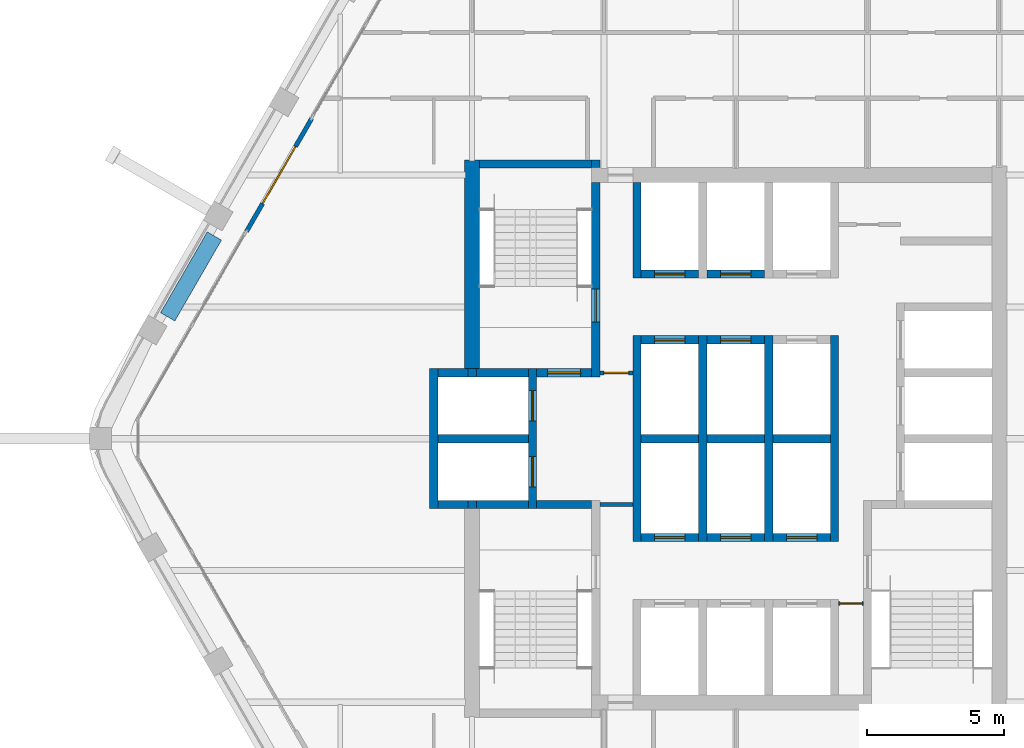
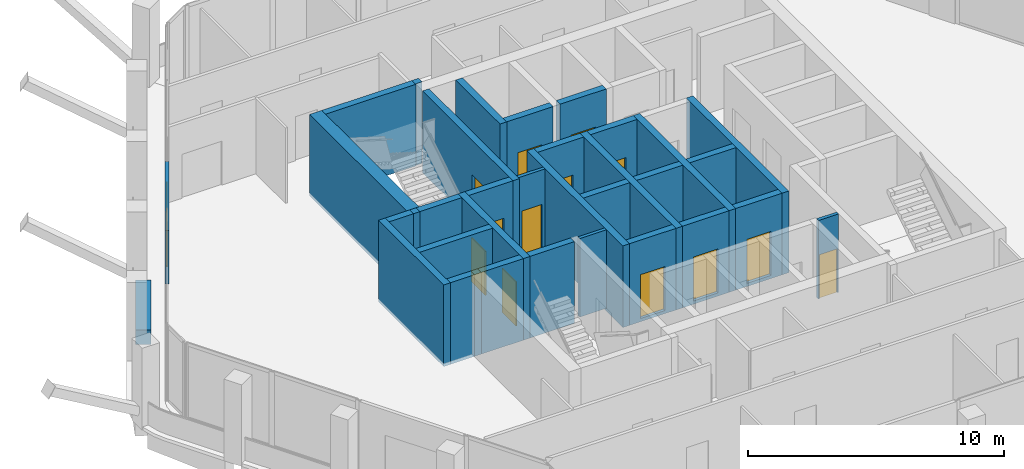
# One storey, part 8 of 14: 35 walls, 14 doors, 14 openings.
"""IFC4 building model written with IfcOpenShell, lengths in metres."""

from ifc_helpers import new_model, si_unit, direction, frame, frame_2d, origin, place, context, subcontext, project, spatial, rectangle, extrude, material, layer, layer_set, type_object, element, fill, save


model = new_model("IFC4")

# Units and contexts
model_context = context("Model", 3, precision=1e-05, world=origin(), true_north=direction((0.0, 1.0)))
body_context = subcontext(model_context, "Body", "Model", "MODEL_VIEW")
ifc_project = project(units=[si_unit("LENGTHUNIT", "METRE"), si_unit("AREAUNIT", "SQUARE_METRE"), si_unit("VOLUMEUNIT", "CUBIC_METRE"), si_unit("PLANEANGLEUNIT", "RADIAN"), si_unit("MASSUNIT", "GRAM", prefix="KILO")], contexts=[model_context])

# Site, building, storey
site_placement = place(None, origin())
site = spatial("IfcSite", under=ifc_project, at=site_placement, CompositionType="ELEMENT")
building_placement = place(site_placement, origin())
building = spatial("IfcBuilding", under=site, at=building_placement, Name="Kolab Exchange Tower", CompositionType="ELEMENT")
storey_placement = place(building_placement, frame((0.0, 0.0, 250.10009765625)))
storey = spatial("IfcBuildingStorey", under=building, at=storey_placement, Name="L55", CompositionType="ELEMENT", Elevation=250.10009765625)

# Wall
ifc_material_1 = material(Name="Concrete C50/60", Category="concrete")
ifc_layer_1 = layer(ifc_material_1, 0.550048828125)
ifc_layer_set_1 = layer_set([ifc_layer_1], Name="Concrete C50/60")
wall_type_1 = type_object("IfcWallType", Name="CORE WALL 550 C50/60", PredefinedType="SHEAR", material=ifc_layer_set_1)
wall_1_placement = place(storey_placement, frame((-9.60009765625, 2.550048828125, -0.150146484375), z_axis=(0.0, 0.0, 1.0), x_axis=(0.0, 1.0, 0.0)))
element("IfcWall", 1, at=wall_1_placement, inside=storey, type_object=wall_type_1, Name="wall/L55/core/037", PredefinedType="SHEAR", context=body_context, shape_type="SweptSolid", body=[
    extrude(rectangle(XDim=7.599853515625, YDim=0.550048828125, at=frame_2d((3.7998046875, 0.0))), origin(), (0.0, 0.0, 1.0), 3.900146484375),
])

# Wall, opening, door
ifc_material_2 = material(Name="Aluminium EN AW-6063 T6", Category="aluminium")
ifc_layer_2 = layer(ifc_material_2, 0.159912109375)
ifc_layer_set_2 = layer_set([ifc_layer_2], Name="Aluminium EN AW-6063 T6")
wall_type_2 = type_object("IfcWallType", Name="DOOR SURROUND WALL 160 ALUMINIUM FRAMED", PredefinedType="PARTITIONING", material=ifc_layer_set_2)
wall_2_placement = place(storey_placement, frame((-17.816650390625, 7.5498046875, 0.0), z_axis=(0.0, 0.0, 1.0), x_axis=(0.499978080042, 0.866038058908, 0.0)))
wall_2 = element("IfcWall", 2, at=wall_2_placement, inside=storey, type_object=wall_type_2, Name="Door surround wall", PredefinedType="PARTITIONING", context=body_context, shape_type="SweptSolid", body=[
    extrude(rectangle(XDim=4.739990234375, YDim=0.159912109375, at=frame_2d((2.3701171875, 0.0))), origin(), (0.0, 0.0, 1.0), 2.5498046875),
])
opening_1_placement = place(wall_2_placement, frame((1.169921875, 0.0, 0.0)))
opening_1 = element("IfcOpeningElement", 3, at=opening_1_placement, cuts=wall_2, Name="Opening GD1-106", PredefinedType="OPENING", context=body_context, shape_type="SweptSolid", body=[
    extrude(rectangle(XDim=2.39990234375, YDim=2.39990234375, at=frame_2d((1.199951171875, 1.199951171875))), frame((0.0, 0.08984375, 0.0), z_axis=(0.0, -1.0, 0.0), x_axis=(1.0, 0.0, 0.0)), (0.0, 0.0, 1.0), 0.179931640625),
])
door_type_1 = type_object("IfcDoorType", Name="LOGGIA SLIDING GLASS DOOR 2400 X 2400", OperationType="DOUBLE_DOOR_SINGLE_SWING", PredefinedType="DOOR", material=ifc_material_2)
door_1_placement = place(opening_1_placement, origin())
door_1 = element("IfcDoor", 4, at=door_1_placement, inside=storey, type_object=door_type_1, Name="Loggia door", OperationType="DOUBLE_DOOR_SLIDING", OverallHeight=2.39990234375, OverallWidth=2.39990234375, PredefinedType="DOOR", context=body_context, shape_type="SweptSolid", body=[
    extrude(rectangle(XDim=2.39990234375, YDim=2.39990234375, at=frame_2d((1.199951171875, 1.199951171875))), frame((0.0, 0.02490234375, 0.0), z_axis=(0.0, -1.0, 0.0), x_axis=(1.0, 0.0, 0.0)), (0.0, 0.0, 1.0), 0.050048828125),
])
fill(opening_1, door_1)

ifc_layer_3 = layer(ifc_material_1, 0.300048828125)
ifc_layer_set_3 = layer_set([ifc_layer_3], Name="Concrete C50/60")
wall_type_3 = type_object("IfcWallType", Name="LIFT SHAFT WALL 300 C50/60", PredefinedType="STANDARD", material=ifc_layer_set_3)
wall_3_placement = place(storey_placement, frame((-3.449951171875, -3.60009765625, -0.150146484375), z_axis=(0.0, 0.0, 1.0), x_axis=(1.0, 0.0, 0.0)))
wall_3 = element("IfcWall", 5, at=wall_3_placement, inside=storey, type_object=wall_type_3, Name="wall/L55/core/006", PredefinedType="STANDARD", context=body_context, shape_type="SweptSolid", body=[
    extrude(rectangle(XDim=2.099853515625, YDim=0.300048828125, at=frame_2d((1.0498046875, 0.0))), origin(), (0.0, 0.0, 1.0), 3.900146484375),
])
opening_2_placement = place(wall_3_placement, frame((0.5, 0.0, 0.14990234375)))
opening_2 = element("IfcOpeningElement", 6, at=opening_2_placement, cuts=wall_3, Name="Opening LD1-118", PredefinedType="OPENING", context=body_context, shape_type="SweptSolid", body=[
    extrude(rectangle(XDim=1.10009765625, YDim=2.10009765625, at=frame_2d((0.550048828125, 1.050048828125))), frame((0.0, 0.16015625, 0.0), z_axis=(0.0, -1.0, 0.0), x_axis=(1.0, 0.0, 0.0)), (0.0, 0.0, 1.0), 0.320068359375),
])
ifc_material_3 = material(Name="Stainless steel 316", Category="steel")
door_type_2 = type_object("IfcDoorType", Name="LANDING DOOR 1100 PASSENGER", OperationType="DOUBLE_DOOR_SLIDING", PredefinedType="DOOR", material=ifc_material_3)
door_2_placement = place(opening_2_placement, origin())
door_2 = element("IfcDoor", 7, at=door_2_placement, inside=storey, type_object=door_type_2, Name="Landing door HR7", OperationType="DOUBLE_DOOR_SLIDING", OverallHeight=2.10009765625, OverallWidth=1.10009765625, PredefinedType="DOOR", context=body_context, shape_type="SweptSolid", body=[
    extrude(rectangle(XDim=1.10009765625, YDim=2.10009765625, at=frame_2d((0.550048828125, 1.050048828125))), frame((0.0, 0.02490234375, 0.0), z_axis=(0.0, -1.0, 0.0), x_axis=(1.0, 0.0, 0.0)), (0.0, 0.0, 1.0), 0.050048828125),
])
fill(opening_2, door_2)

wall_4_placement = place(storey_placement, frame((-1.050048828125, -3.60009765625, -0.150146484375), z_axis=(0.0, 0.0, 1.0), x_axis=(1.0, 0.0, 0.0)))
wall_4 = element("IfcWall", 8, at=wall_4_placement, inside=storey, type_object=wall_type_3, Name="wall/L55/core/007", PredefinedType="STANDARD", context=body_context, shape_type="SweptSolid", body=[
    extrude(rectangle(XDim=2.10009765625, YDim=0.300048828125, at=frame_2d((1.050048828125, 0.0))), origin(), (0.0, 0.0, 1.0), 3.900146484375),
])
opening_3_placement = place(wall_4_placement, frame((0.5, 0.0, 0.14990234375)))
opening_3 = element("IfcOpeningElement", 9, at=opening_3_placement, cuts=wall_4, Name="Opening LD1-119", PredefinedType="OPENING", context=body_context, shape_type="SweptSolid", body=[
    extrude(rectangle(XDim=1.10009765625, YDim=2.10009765625, at=frame_2d((0.550048828125, 1.050048828125))), frame((0.0, 0.16015625, 0.0), z_axis=(0.0, -1.0, 0.0), x_axis=(1.0, 0.0, 0.0)), (0.0, 0.0, 1.0), 0.320068359375),
])
door_3_placement = place(opening_3_placement, origin())
door_3 = element("IfcDoor", 10, at=door_3_placement, inside=storey, type_object=door_type_2, Name="Landing door HR8", OperationType="DOUBLE_DOOR_SLIDING", OverallHeight=2.10009765625, OverallWidth=1.10009765625, PredefinedType="DOOR", context=body_context, shape_type="SweptSolid", body=[
    extrude(rectangle(XDim=1.10009765625, YDim=2.10009765625, at=frame_2d((0.550048828125, 1.050048828125))), frame((0.0, 0.02490234375, 0.0), z_axis=(0.0, -1.0, 0.0), x_axis=(1.0, 0.0, 0.0)), (0.0, 0.0, 1.0), 0.050048828125),
])
fill(opening_3, door_3)

wall_5_placement = place(storey_placement, frame((1.35009765625, -3.60009765625, -0.150146484375), z_axis=(0.0, 0.0, 1.0), x_axis=(1.0, 0.0, 0.0)))
wall_5 = element("IfcWall", 11, at=wall_5_placement, inside=storey, type_object=wall_type_3, Name="wall/L55/core/008", PredefinedType="STANDARD", context=body_context, shape_type="SweptSolid", body=[
    extrude(rectangle(XDim=2.099853515625, YDim=0.300048828125, at=frame_2d((1.0498046875, 0.0))), origin(), (0.0, 0.0, 1.0), 3.900146484375),
])
opening_4_placement = place(wall_5_placement, frame((0.5, 0.0, 0.14990234375)))
opening_4 = element("IfcOpeningElement", 12, at=opening_4_placement, cuts=wall_5, Name="Opening LD1-120", PredefinedType="OPENING", context=body_context, shape_type="SweptSolid", body=[
    extrude(rectangle(XDim=1.10009765625, YDim=2.10009765625, at=frame_2d((0.550048828125, 1.050048828125))), frame((0.0, 0.16015625, 0.0), z_axis=(0.0, -1.0, 0.0), x_axis=(1.0, 0.0, 0.0)), (0.0, 0.0, 1.0), 0.320068359375),
])
door_4_placement = place(opening_4_placement, origin())
door_4 = element("IfcDoor", 13, at=door_4_placement, inside=storey, type_object=door_type_2, Name="Landing door HR9", OperationType="DOUBLE_DOOR_SLIDING", OverallHeight=2.10009765625, OverallWidth=1.10009765625, PredefinedType="DOOR", context=body_context, shape_type="SweptSolid", body=[
    extrude(rectangle(XDim=1.10009765625, YDim=2.10009765625, at=frame_2d((0.550048828125, 1.050048828125))), frame((0.0, 0.02490234375, 0.0), z_axis=(0.0, -1.0, 0.0), x_axis=(1.0, 0.0, 0.0)), (0.0, 0.0, 1.0), 0.050048828125),
])
fill(opening_4, door_4)

# Walls
wall_6_placement = place(storey_placement, frame((-10.85009765625, -2.39990234375, -0.150146484375), z_axis=(0.0, 0.0, 1.0), x_axis=(1.0, 0.0, 0.0)))
element("IfcWall", 14, at=wall_6_placement, inside=storey, type_object=wall_type_3, Name="wall/L55/core/009", PredefinedType="STANDARD", context=body_context, shape_type="SweptSolid", body=[
    extrude(rectangle(XDim=1.10009765625, YDim=0.300048828125, at=frame_2d((0.550048828125, 0.0))), origin(), (0.0, 0.0, 1.0), 3.900146484375),
])
wall_7_placement = place(storey_placement, frame((-10.85009765625, 0.0, -0.150146484375), z_axis=(0.0, 0.0, 1.0), x_axis=(1.0, 0.0, 0.0)))
element("IfcWall", 15, at=wall_7_placement, inside=storey, type_object=wall_type_3, Name="wall/L55/core/014", PredefinedType="STANDARD", context=body_context, shape_type="SweptSolid", body=[
    extrude(rectangle(XDim=3.300048828125, YDim=0.300048828125, at=frame_2d((1.64990234375, 0.0))), origin(), (0.0, 0.0, 1.0), 3.900146484375),
])
wall_8_placement = place(storey_placement, frame((-3.449951171875, 0.0, -0.150146484375), z_axis=(0.0, 0.0, 1.0), x_axis=(1.0, 0.0, 0.0)))
element("IfcWall", 16, at=wall_8_placement, inside=storey, type_object=wall_type_3, Name="wall/L55/core/015", PredefinedType="STANDARD", context=body_context, shape_type="SweptSolid", body=[
    extrude(rectangle(XDim=2.099853515625, YDim=0.300048828125, at=frame_2d((1.0498046875, 0.0))), origin(), (0.0, 0.0, 1.0), 3.900146484375),
])
wall_9_placement = place(storey_placement, frame((-1.050048828125, 0.0, -0.150146484375), z_axis=(0.0, 0.0, 1.0), x_axis=(1.0, 0.0, 0.0)))
element("IfcWall", 17, at=wall_9_placement, inside=storey, type_object=wall_type_3, Name="wall/L55/core/016", PredefinedType="STANDARD", context=body_context, shape_type="SweptSolid", body=[
    extrude(rectangle(XDim=2.10009765625, YDim=0.300048828125, at=frame_2d((1.050048828125, 0.0))), origin(), (0.0, 0.0, 1.0), 3.900146484375),
])
wall_10_placement = place(storey_placement, frame((1.35009765625, 0.0, -0.150146484375), z_axis=(0.0, 0.0, 1.0), x_axis=(1.0, 0.0, 0.0)))
element("IfcWall", 18, at=wall_10_placement, inside=storey, type_object=wall_type_3, Name="wall/L55/core/017", PredefinedType="STANDARD", context=body_context, shape_type="SweptSolid", body=[
    extrude(rectangle(XDim=2.099853515625, YDim=0.300048828125, at=frame_2d((1.0498046875, 0.0))), origin(), (0.0, 0.0, 1.0), 3.900146484375),
])
wall_11_placement = place(storey_placement, frame((-10.85009765625, 2.39990234375, -0.150146484375), z_axis=(0.0, 0.0, 1.0), x_axis=(1.0, 0.0, 0.0)))
element("IfcWall", 19, at=wall_11_placement, inside=storey, type_object=wall_type_3, Name="wall/L55/core/019", PredefinedType="STANDARD", context=body_context, shape_type="SweptSolid", body=[
    extrude(rectangle(XDim=1.10009765625, YDim=0.300048828125, at=frame_2d((0.550048828125, 0.0))), origin(), (0.0, 0.0, 1.0), 3.900146484375),
])

# Wall, opening, door
wall_12_placement = place(storey_placement, frame((-3.449951171875, 3.60009765625, -0.150146484375), z_axis=(0.0, 0.0, 1.0), x_axis=(1.0, 0.0, 0.0)))
wall_12 = element("IfcWall", 20, at=wall_12_placement, inside=storey, type_object=wall_type_3, Name="wall/L55/core/023", PredefinedType="STANDARD", context=body_context, shape_type="SweptSolid", body=[
    extrude(rectangle(XDim=2.099853515625, YDim=0.300048828125, at=frame_2d((1.0498046875, 0.0))), origin(), (0.0, 0.0, 1.0), 3.900146484375),
])
opening_5_placement = place(wall_12_placement, frame((0.5, 0.0, 0.14990234375)))
opening_5 = element("IfcOpeningElement", 21, at=opening_5_placement, cuts=wall_12, Name="Opening LD1-115", PredefinedType="OPENING", context=body_context, shape_type="SweptSolid", body=[
    extrude(rectangle(XDim=1.10009765625, YDim=2.10009765625, at=frame_2d((0.550048828125, 1.050048828125))), frame((0.0, 0.16015625, 0.0), z_axis=(0.0, -1.0, 0.0), x_axis=(1.0, 0.0, 0.0)), (0.0, 0.0, 1.0), 0.320068359375),
])
door_5_placement = place(opening_5_placement, origin())
door_5 = element("IfcDoor", 22, at=door_5_placement, inside=storey, type_object=door_type_2, Name="Landing door HR4", OperationType="DOUBLE_DOOR_SLIDING", OverallHeight=2.10009765625, OverallWidth=1.10009765625, PredefinedType="DOOR", context=body_context, shape_type="SweptSolid", body=[
    extrude(rectangle(XDim=1.10009765625, YDim=2.10009765625, at=frame_2d((0.550048828125, 1.050048828125))), frame((0.0, 0.02490234375, 0.0), z_axis=(0.0, -1.0, 0.0), x_axis=(1.0, 0.0, 0.0)), (0.0, 0.0, 1.0), 0.050048828125),
])
fill(opening_5, door_5)

wall_13_placement = place(storey_placement, frame((-1.050048828125, 3.60009765625, -0.150146484375), z_axis=(0.0, 0.0, 1.0), x_axis=(1.0, 0.0, 0.0)))
wall_13 = element("IfcWall", 23, at=wall_13_placement, inside=storey, type_object=wall_type_3, Name="wall/L55/core/024", PredefinedType="STANDARD", context=body_context, shape_type="SweptSolid", body=[
    extrude(rectangle(XDim=2.10009765625, YDim=0.300048828125, at=frame_2d((1.050048828125, 0.0))), origin(), (0.0, 0.0, 1.0), 3.900146484375),
])
opening_6_placement = place(wall_13_placement, frame((0.5, 0.0, 0.14990234375)))
opening_6 = element("IfcOpeningElement", 24, at=opening_6_placement, cuts=wall_13, Name="Opening LD1-116", PredefinedType="OPENING", context=body_context, shape_type="SweptSolid", body=[
    extrude(rectangle(XDim=1.10009765625, YDim=2.10009765625, at=frame_2d((0.550048828125, 1.050048828125))), frame((0.0, 0.16015625, 0.0), z_axis=(0.0, -1.0, 0.0), x_axis=(1.0, 0.0, 0.0)), (0.0, 0.0, 1.0), 0.320068359375),
])
door_6_placement = place(opening_6_placement, origin())
door_6 = element("IfcDoor", 25, at=door_6_placement, inside=storey, type_object=door_type_2, Name="Landing door HR5", OperationType="DOUBLE_DOOR_SLIDING", OverallHeight=2.10009765625, OverallWidth=1.10009765625, PredefinedType="DOOR", context=body_context, shape_type="SweptSolid", body=[
    extrude(rectangle(XDim=1.10009765625, YDim=2.10009765625, at=frame_2d((0.550048828125, 1.050048828125))), frame((0.0, 0.02490234375, 0.0), z_axis=(0.0, -1.0, 0.0), x_axis=(1.0, 0.0, 0.0)), (0.0, 0.0, 1.0), 0.050048828125),
])
fill(opening_6, door_6)

wall_14_placement = place(storey_placement, frame((-3.449951171875, 6.0, -0.150146484375), z_axis=(0.0, 0.0, 1.0), x_axis=(1.0, 0.0, 0.0)))
wall_14 = element("IfcWall", 26, at=wall_14_placement, inside=storey, type_object=wall_type_3, Name="wall/L55/core/027", PredefinedType="STANDARD", context=body_context, shape_type="SweptSolid", body=[
    extrude(rectangle(XDim=2.099853515625, YDim=0.300048828125, at=frame_2d((1.0498046875, 0.0))), origin(), (0.0, 0.0, 1.0), 3.900146484375),
])
opening_7_placement = place(wall_14_placement, frame((0.5, 0.0, 0.14990234375)))
opening_7 = element("IfcOpeningElement", 27, at=opening_7_placement, cuts=wall_14, Name="Opening LD1-109", PredefinedType="OPENING", context=body_context, shape_type="SweptSolid", body=[
    extrude(rectangle(XDim=1.10009765625, YDim=2.10009765625, at=frame_2d((0.550048828125, 1.050048828125))), frame((0.0, 0.16015625, 0.0), z_axis=(0.0, -1.0, 0.0), x_axis=(1.0, 0.0, 0.0)), (0.0, 0.0, 1.0), 0.320068359375),
])
door_7_placement = place(opening_7_placement, origin())
door_7 = element("IfcDoor", 28, at=door_7_placement, inside=storey, type_object=door_type_2, Name="Landing door HR1", OperationType="DOUBLE_DOOR_SLIDING", OverallHeight=2.10009765625, OverallWidth=1.10009765625, PredefinedType="DOOR", context=body_context, shape_type="SweptSolid", body=[
    extrude(rectangle(XDim=1.10009765625, YDim=2.10009765625, at=frame_2d((0.550048828125, 1.050048828125))), frame((0.0, 0.02490234375, 0.0), z_axis=(0.0, -1.0, 0.0), x_axis=(1.0, 0.0, 0.0)), (0.0, 0.0, 1.0), 0.050048828125),
])
fill(opening_7, door_7)

wall_15_placement = place(storey_placement, frame((-1.050048828125, 6.0, -0.150146484375), z_axis=(0.0, 0.0, 1.0), x_axis=(1.0, 0.0, 0.0)))
wall_15 = element("IfcWall", 29, at=wall_15_placement, inside=storey, type_object=wall_type_3, Name="wall/L55/core/028", PredefinedType="STANDARD", context=body_context, shape_type="SweptSolid", body=[
    extrude(rectangle(XDim=2.10009765625, YDim=0.300048828125, at=frame_2d((1.050048828125, 0.0))), origin(), (0.0, 0.0, 1.0), 3.900146484375),
])
opening_8_placement = place(wall_15_placement, frame((0.5, 0.0, 0.14990234375)))
opening_8 = element("IfcOpeningElement", 30, at=opening_8_placement, cuts=wall_15, Name="Opening LD1-113", PredefinedType="OPENING", context=body_context, shape_type="SweptSolid", body=[
    extrude(rectangle(XDim=1.10009765625, YDim=2.10009765625, at=frame_2d((0.550048828125, 1.050048828125))), frame((0.0, 0.16015625, 0.0), z_axis=(0.0, -1.0, 0.0), x_axis=(1.0, 0.0, 0.0)), (0.0, 0.0, 1.0), 0.320068359375),
])
door_8_placement = place(opening_8_placement, origin())
door_8 = element("IfcDoor", 31, at=door_8_placement, inside=storey, type_object=door_type_2, Name="Landing door HR2", OperationType="DOUBLE_DOOR_SLIDING", OverallHeight=2.10009765625, OverallWidth=1.10009765625, PredefinedType="DOOR", context=body_context, shape_type="SweptSolid", body=[
    extrude(rectangle(XDim=1.10009765625, YDim=2.10009765625, at=frame_2d((0.550048828125, 1.050048828125))), frame((0.0, 0.02490234375, 0.0), z_axis=(0.0, -1.0, 0.0), x_axis=(1.0, 0.0, 0.0)), (0.0, 0.0, 1.0), 0.050048828125),
])
fill(opening_8, door_8)

# Wall
wall_16_placement = place(storey_placement, frame((-11.0, -2.550048828125, -0.150146484375), z_axis=(0.0, 0.0, 1.0), x_axis=(0.0, 1.0, 0.0)))
element("IfcWall", 32, at=wall_16_placement, inside=storey, type_object=wall_type_3, Name="wall/L55/core/033", PredefinedType="STANDARD", context=body_context, shape_type="SweptSolid", body=[
    extrude(rectangle(XDim=5.10009765625, YDim=0.300048828125, at=frame_2d((2.550048828125, 0.0))), origin(), (0.0, 0.0, 1.0), 3.900146484375),
])

# Wall, openings, doors
wall_17_placement = place(storey_placement, frame((-7.39990234375, -2.550048828125, -0.150146484375), z_axis=(0.0, 0.0, 1.0), x_axis=(0.0, 1.0, 0.0)))
wall_17 = element("IfcWall", 33, at=wall_17_placement, inside=storey, type_object=wall_type_3, Name="wall/L55/core/038", PredefinedType="STANDARD", context=body_context, shape_type="SweptSolid", body=[
    extrude(rectangle(XDim=5.10009765625, YDim=0.300048828125, at=frame_2d((2.550048828125, 0.0))), origin(), (0.0, 0.0, 1.0), 3.900146484375),
])
opening_9_placement = place(wall_17_placement, frame((0.800048828125, 0.0, 0.14990234375)))
opening_9 = element("IfcOpeningElement", 34, at=opening_9_placement, cuts=wall_17, Name="Opening LD2-025", PredefinedType="OPENING", context=body_context, shape_type="SweptSolid", body=[
    extrude(rectangle(XDim=1.10009765625, YDim=2.10009765625, at=frame_2d((0.550048828125, 1.050048828125))), frame((0.0, 0.16015625, 0.0), z_axis=(0.0, -1.0, 0.0), x_axis=(1.0, 0.0, 0.0)), (0.0, 0.0, 1.0), 0.320068359375),
])
opening_10_placement = place(wall_17_placement, frame((3.199951171875, 0.0, 0.14990234375)))
opening_10 = element("IfcOpeningElement", 35, at=opening_10_placement, cuts=wall_17, Name="Opening LD2-026", PredefinedType="OPENING", context=body_context, shape_type="SweptSolid", body=[
    extrude(rectangle(XDim=1.10009765625, YDim=2.10009765625, at=frame_2d((0.550048828125, 1.050048828125))), frame((0.0, 0.16015625, 0.0), z_axis=(0.0, -1.0, 0.0), x_axis=(1.0, 0.0, 0.0)), (0.0, 0.0, 1.0), 0.320068359375),
])
door_type_3 = type_object("IfcDoorType", Name="LANDING DOOR 1100 FIREFIGHTING", OperationType="DOUBLE_DOOR_SLIDING", PredefinedType="DOOR", material=ifc_material_3)
door_9_placement = place(opening_9_placement, origin())
door_9 = element("IfcDoor", 36, at=door_9_placement, inside=storey, type_object=door_type_3, Name="Landing door FF1", OperationType="DOUBLE_DOOR_SLIDING", OverallHeight=2.10009765625, OverallWidth=1.10009765625, PredefinedType="DOOR", context=body_context, shape_type="SweptSolid", body=[
    extrude(rectangle(XDim=1.10009765625, YDim=2.10009765625, at=frame_2d((0.550048828125, 1.050048828125))), frame((0.0, 0.02490234375, 0.0), z_axis=(0.0, -1.0, 0.0), x_axis=(1.0, 0.0, 0.0)), (0.0, 0.0, 1.0), 0.050048828125),
])
fill(opening_9, door_9)
door_10_placement = place(opening_10_placement, origin())
door_10 = element("IfcDoor", 37, at=door_10_placement, inside=storey, type_object=door_type_3, Name="Landing door FF2", OperationType="DOUBLE_DOOR_SLIDING", OverallHeight=2.10009765625, OverallWidth=1.10009765625, PredefinedType="DOOR", context=body_context, shape_type="SweptSolid", body=[
    extrude(rectangle(XDim=1.10009765625, YDim=2.10009765625, at=frame_2d((0.550048828125, 1.050048828125))), frame((0.0, 0.02490234375, 0.0), z_axis=(0.0, -1.0, 0.0), x_axis=(1.0, 0.0, 0.0)), (0.0, 0.0, 1.0), 0.050048828125),
])
fill(opening_10, door_10)

# Walls
wall_18_placement = place(storey_placement, frame((-3.60009765625, -3.75, -0.150146484375), z_axis=(0.0, 0.0, 1.0), x_axis=(0.0, 1.0, 0.0)))
element("IfcWall", 38, at=wall_18_placement, inside=storey, type_object=wall_type_3, Name="wall/L55/core/044", PredefinedType="STANDARD", context=body_context, shape_type="SweptSolid", body=[
    extrude(rectangle(XDim=7.5, YDim=0.300048828125, at=frame_2d((3.75, 0.0))), origin(), (0.0, 0.0, 1.0), 3.900146484375),
])
wall_19_placement = place(storey_placement, frame((-3.60009765625, 5.85009765625, -0.150146484375), z_axis=(0.0, 0.0, 1.0), x_axis=(0.0, 1.0, 0.0)))
element("IfcWall", 39, at=wall_19_placement, inside=storey, type_object=wall_type_3, Name="wall/L55/core/045", PredefinedType="STANDARD", context=body_context, shape_type="SweptSolid", body=[
    extrude(rectangle(XDim=3.474853515625, YDim=0.300048828125, at=frame_2d((1.7373046875, 0.0))), origin(), (0.0, 0.0, 1.0), 3.900146484375),
])
for number, where, z_axis, x_axis, name in (
    (40, (-1.199951171875, -3.75, -0.150146484375), (0.0, 0.0, 1.0), (0.0, 1.0, 0.0), "wall/L55/core/047"),
    (41, (1.199951171875, -3.75, -0.150146484375), (0.0, 0.0, 1.0), (0.0, 1.0, 0.0), "wall/L55/core/050"),
    (42, (3.60009765625, -3.75, -0.150146484375), (0.0, 0.0, 1.0), (0.0, 1.0, 0.0), "wall/L55/core/053"),
):
    element("IfcWall", number, at=place(storey_placement, frame(where, z_axis=z_axis, x_axis=x_axis)), inside=storey, type_object=wall_type_3, Name=name, PredefinedType="STANDARD", context=body_context, shape_type="SweptSolid", body=[
        extrude(rectangle(XDim=7.5, YDim=0.300048828125, at=frame_2d((3.75, 0.0))), origin(), (0.0, 0.0, 1.0), 3.900146484375),
    ])

# Wall, opening, door
ifc_material_4 = material(Name="Gypsum board", Category="gypsum")
ifc_layer_4 = layer(ifc_material_4, 0.14990234375)
ifc_layer_set_4 = layer_set([ifc_layer_4], Name="Gypsum board")
wall_type_4 = type_object("IfcWallType", Name="PARTITION 150 FIRE-RATED", PredefinedType="PARTITIONING", material=ifc_layer_set_4)
wall_20_placement = place(storey_placement, frame((3.75, -6.0, 0.0), z_axis=(0.0, 0.0, 1.0), x_axis=(1.0, 0.0, 0.0)))
wall_20 = element("IfcWall", 43, at=wall_20_placement, inside=storey, type_object=wall_type_4, Name="Partition 022", PredefinedType="PARTITIONING", context=body_context, shape_type="SweptSolid", body=[
    extrude(rectangle(XDim=0.89990234375, YDim=0.14990234375, at=frame_2d((0.449951171875, 0.0))), origin(), (0.0, 0.0, 1.0), 3.75),
])
opening_11_placement = place(wall_20_placement, frame((0.050048828125, 0.0, 0.0)))
opening_11 = element("IfcOpeningElement", 44, at=opening_11_placement, cuts=wall_20, Name="Opening D7-041", PredefinedType="OPENING", context=body_context, shape_type="SweptSolid", body=[
    extrude(rectangle(XDim=0.800048828125, YDim=2.10009765625, at=frame_2d((0.39990234375, 1.050048828125))), frame((0.0, 0.0849609375, 0.0), z_axis=(0.0, -1.0, 0.0), x_axis=(1.0, 0.0, 0.0)), (0.0, 0.0, 1.0), 0.169921875),
])
ifc_material_5 = material(Name="Steel S235", Category="steel")
door_type_4 = type_object("IfcDoorType", Name="FLUSH DOOR 800 FD60", OperationType="SINGLE_SWING_LEFT", PredefinedType="DOOR", material=ifc_material_5)
door_11_placement = place(opening_11_placement, frame((0.800048828125, 0.0, 0.0), z_axis=(0.0, 0.0, 1.0), x_axis=(-1.0, 0.0, 0.0)))
door_11 = element("IfcDoor", 45, at=door_11_placement, inside=storey, type_object=door_type_4, Name="Door L55-024", OperationType="SINGLE_SWING_RIGHT", OverallHeight=2.10009765625, OverallWidth=0.800048828125, PredefinedType="DOOR", context=body_context, shape_type="SweptSolid", body=[
    extrude(rectangle(XDim=0.800048828125, YDim=2.10009765625, at=frame_2d((0.39990234375, 1.050048828125))), frame((0.0, 0.02490234375, 0.0), z_axis=(0.0, -1.0, 0.0), x_axis=(1.0, 0.0, 0.0)), (0.0, 0.0, 1.0), 0.050048828125),
])
fill(opening_11, door_11)

wall_21_placement = place(storey_placement, frame((-4.949951171875, 2.39990234375, 0.0), z_axis=(0.0, 0.0, 1.0), x_axis=(1.0, 0.0, 0.0)))
wall_21 = element("IfcWall", 46, at=wall_21_placement, inside=storey, type_object=wall_type_4, Name="Fire partition", PredefinedType="PARTITIONING", context=body_context, shape_type="SweptSolid", body=[
    extrude(rectangle(XDim=1.199951171875, YDim=0.14990234375, at=frame_2d((0.60009765625, 0.0))), origin(), (0.0, 0.0, 1.0), 3.75),
])
opening_12_placement = place(wall_21_placement, frame((0.14990234375, 0.0, 0.0)))
opening_12 = element("IfcOpeningElement", 47, at=opening_12_placement, cuts=wall_21, Name="Opening D6-288", PredefinedType="OPENING", context=body_context, shape_type="SweptSolid", body=[
    extrude(rectangle(XDim=0.89990234375, YDim=2.10009765625, at=frame_2d((0.449951171875, 1.050048828125))), frame((0.0, 0.0849609375, 0.0), z_axis=(0.0, -1.0, 0.0), x_axis=(1.0, 0.0, 0.0)), (0.0, 0.0, 1.0), 0.169921875),
])
door_type_5 = type_object("IfcDoorType", Name="CORE DOOR 900 EI 120", OperationType="SINGLE_SWING_LEFT", PredefinedType="DOOR", material=ifc_material_5)
door_12_placement = place(opening_12_placement, frame((0.89990234375, 0.0, 0.0), z_axis=(0.0, 0.0, 1.0), x_axis=(-1.0, 0.0, 0.0)))
door_12 = element("IfcDoor", 48, at=door_12_placement, inside=storey, type_object=door_type_5, Name="Firefighting lobby door", OperationType="SINGLE_SWING_RIGHT", OverallHeight=2.10009765625, OverallWidth=0.89990234375, PredefinedType="DOOR", context=body_context, shape_type="SweptSolid", body=[
    extrude(rectangle(XDim=0.89990234375, YDim=2.10009765625, at=frame_2d((0.449951171875, 1.050048828125))), frame((0.0, 0.02490234375, 0.0), z_axis=(0.0, -1.0, 0.0), x_axis=(1.0, 0.0, 0.0)), (0.0, 0.0, 1.0), 0.050048828125),
])
fill(opening_12, door_12)

# Walls
wall_22_placement = place(storey_placement, frame((-4.949951171875, -2.39990234375, 0.0), z_axis=(0.0, 0.0, 1.0), x_axis=(1.0, 0.0, 0.0)))
element("IfcWall", 49, at=wall_22_placement, inside=storey, type_object=wall_type_4, Name="Fire partition", PredefinedType="PARTITIONING", context=body_context, shape_type="SweptSolid", body=[
    extrude(rectangle(XDim=1.199951171875, YDim=0.14990234375, at=frame_2d((0.60009765625, 0.0))), origin(), (0.0, 0.0, 1.0), 3.75),
])
ifc_material_6 = material(Name="Granite facing", Category="masonry")
ifc_layer_5 = layer(ifc_material_6, 0.0400390625)
ifc_material_7 = material(Name="Concrete C40/50 precast", Category="concrete")
ifc_layer_6 = layer(ifc_material_7, 0.56005859375)
ifc_layer_set_5 = layer_set([ifc_layer_5, ifc_layer_6], Name="Concrete C40/50 precast")
wall_type_5 = type_object("IfcWallType", Name="PLANTER BOX 600 X 700 SOIL DEPTH 550", PredefinedType="USERDEFINED", material=ifc_layer_set_5)
wall_23_placement = place(storey_placement, frame((-20.68701171875, 4.438232421875, 0.0), z_axis=(0.0, 0.0, 1.0), x_axis=(0.500008388397, 0.866020560687, 0.0)))
element("IfcWall", 50, at=wall_23_placement, inside=storey, type_object=wall_type_5, Name="Planter", ObjectType="PLANTER", PredefinedType="USERDEFINED", context=body_context, shape_type="SweptSolid", body=[
    extrude(rectangle(XDim=3.39990234375, YDim=0.60009765625, at=frame_2d((1.699951171875, 0.0))), origin(), (0.0, 0.0, 1.0), 0.699951171875),
])
ifc_layer_7 = layer(ifc_material_1, 0.300048828125)
ifc_layer_set_6 = layer_set([ifc_layer_7], Name="Concrete C50/60")
wall_type_6 = type_object("IfcWallType", Name="STAIR ENCLOSURE WALL 300 C50/60", PredefinedType="STANDARD", material=ifc_layer_set_6)
wall_24_placement = place(storey_placement, frame((-9.449951171875, -2.39990234375, -0.150146484375), z_axis=(0.0, 0.0, 1.0), x_axis=(1.0, 0.0, 0.0)))
element("IfcWall", 51, at=wall_24_placement, inside=storey, type_object=wall_type_6, Name="wall/L55/core/010", PredefinedType="STANDARD", context=body_context, shape_type="SweptSolid", body=[
    extrude(rectangle(XDim=1.89990234375, YDim=0.300048828125, at=frame_2d((0.949951171875, 0.0))), origin(), (0.0, 0.0, 1.0), 3.900146484375),
])
wall_25_placement = place(storey_placement, frame((-7.25, -2.39990234375, -0.150146484375), z_axis=(0.0, 0.0, 1.0), x_axis=(1.0, 0.0, 0.0)))
element("IfcWall", 52, at=wall_25_placement, inside=storey, type_object=wall_type_6, Name="wall/L55/core/011", PredefinedType="STANDARD", context=body_context, shape_type="SweptSolid", body=[
    extrude(rectangle(XDim=2.0, YDim=0.300048828125, at=frame_2d((1.0, 0.0))), origin(), (0.0, 0.0, 1.0), 3.900146484375),
])
wall_26_placement = place(storey_placement, frame((-9.449951171875, 2.39990234375, -0.150146484375), z_axis=(0.0, 0.0, 1.0), x_axis=(1.0, 0.0, 0.0)))
element("IfcWall", 53, at=wall_26_placement, inside=storey, type_object=wall_type_6, Name="wall/L55/core/020", PredefinedType="STANDARD", context=body_context, shape_type="SweptSolid", body=[
    extrude(rectangle(XDim=1.89990234375, YDim=0.300048828125, at=frame_2d((0.949951171875, 0.0))), origin(), (0.0, 0.0, 1.0), 3.900146484375),
])

# Wall, opening, door
wall_27_placement = place(storey_placement, frame((-7.25, 2.39990234375, -0.150146484375), z_axis=(0.0, 0.0, 1.0), x_axis=(1.0, 0.0, 0.0)))
wall_27 = element("IfcWall", 54, at=wall_27_placement, inside=storey, type_object=wall_type_6, Name="wall/L55/core/021", PredefinedType="STANDARD", context=body_context, shape_type="SweptSolid", body=[
    extrude(rectangle(XDim=2.0, YDim=0.300048828125, at=frame_2d((1.0, 0.0))), origin(), (0.0, 0.0, 1.0), 3.900146484375),
])
opening_13_placement = place(wall_27_placement, frame((0.39990234375, 0.0, 0.14990234375)))
opening_13 = element("IfcOpeningElement", 55, at=opening_13_placement, cuts=wall_27, Name="Opening D4-065", PredefinedType="OPENING", context=body_context, shape_type="SweptSolid", body=[
    extrude(rectangle(XDim=1.199951171875, YDim=2.10009765625, at=frame_2d((0.60009765625, 1.050048828125))), frame((0.0, 0.16015625, 0.0), z_axis=(0.0, -1.0, 0.0), x_axis=(1.0, 0.0, 0.0)), (0.0, 0.0, 1.0), 0.320068359375),
])
door_type_6 = type_object("IfcDoorType", Name="STAIR DOOR 1200 EI 120", OperationType="SINGLE_SWING_LEFT", PredefinedType="DOOR", material=ifc_material_5)
door_13_placement = place(opening_13_placement, origin())
door_13 = element("IfcDoor", 56, at=door_13_placement, inside=storey, type_object=door_type_6, Name="Stair 1 door", OperationType="SINGLE_SWING_RIGHT", OverallHeight=2.10009765625, OverallWidth=1.199951171875, PredefinedType="DOOR", context=body_context, shape_type="SweptSolid", body=[
    extrude(rectangle(XDim=1.199951171875, YDim=2.10009765625, at=frame_2d((0.60009765625, 1.050048828125))), frame((0.0, 0.02490234375, 0.0), z_axis=(0.0, -1.0, 0.0), x_axis=(1.0, 0.0, 0.0)), (0.0, 0.0, 1.0), 0.050048828125),
])
fill(opening_13, door_13)

# Walls
wall_28_placement = place(storey_placement, frame((-9.324951171875, 10.0, -0.150146484375), z_axis=(0.0, 0.0, 1.0), x_axis=(1.0, 0.0, 0.0)))
element("IfcWall", 57, at=wall_28_placement, inside=storey, type_object=wall_type_6, Name="wall/L55/core/032", PredefinedType="STANDARD", context=body_context, shape_type="SweptSolid", body=[
    extrude(rectangle(XDim=4.074951171875, YDim=0.300048828125, at=frame_2d((2.03759765625, 0.0))), origin(), (0.0, 0.0, 1.0), 3.900146484375),
])
for number, where, z_axis, x_axis, name in (
    (58, (-9.60009765625, -2.550048828125, -0.150146484375), (0.0, 0.0, 1.0), (0.0, 1.0, 0.0), "wall/L55/core/035"),
    (59, (-9.60009765625, 2.25, -0.150146484375), (0.0, 0.0, 1.0), (0.0, 1.0, 0.0), "wall/L55/core/036"),
):
    element("IfcWall", number, at=place(storey_placement, frame(where, z_axis=z_axis, x_axis=x_axis)), inside=storey, type_object=wall_type_6, Name=name, PredefinedType="STANDARD", context=body_context, shape_type="SweptSolid", body=[
        extrude(rectangle(XDim=0.300048828125, YDim=0.300048828125, at=frame_2d((0.14990234375, 0.0))), origin(), (0.0, 0.0, 1.0), 3.900146484375),
    ])

# Wall, opening, door
wall_29_placement = place(storey_placement, frame((-5.10009765625, 2.25, -0.150146484375), z_axis=(0.0, 0.0, 1.0), x_axis=(0.0, 1.0, 0.0)))
wall_29 = element("IfcWall", 60, at=wall_29_placement, inside=storey, type_object=wall_type_6, Name="wall/L55/core/041", PredefinedType="STANDARD", context=body_context, shape_type="SweptSolid", body=[
    extrude(rectangle(XDim=7.074951171875, YDim=0.300048828125, at=frame_2d((3.53759765625, 0.0))), origin(), (0.0, 0.0, 1.0), 3.900146484375),
])
opening_14_placement = place(wall_29_placement, frame((2.0, 0.0, 0.14990234375)))
opening_14 = element("IfcOpeningElement", 61, at=opening_14_placement, cuts=wall_29, Name="Opening D4-076", PredefinedType="OPENING", context=body_context, shape_type="SweptSolid", body=[
    extrude(rectangle(XDim=1.199951171875, YDim=2.10009765625, at=frame_2d((0.60009765625, 1.050048828125))), frame((0.0, 0.16015625, 0.0), z_axis=(0.0, -1.0, 0.0), x_axis=(1.0, 0.0, 0.0)), (0.0, 0.0, 1.0), 0.320068359375),
])
door_14_placement = place(opening_14_placement, origin())
door_14 = element("IfcDoor", 62, at=door_14_placement, inside=storey, type_object=door_type_6, Name="Stair 1 door", OperationType="SINGLE_SWING_LEFT", OverallHeight=2.10009765625, OverallWidth=1.199951171875, PredefinedType="DOOR", context=body_context, shape_type="SweptSolid", body=[
    extrude(rectangle(XDim=1.199951171875, YDim=2.10009765625, at=frame_2d((0.60009765625, 1.050048828125))), frame((0.0, 0.02490234375, 0.0), z_axis=(0.0, -1.0, 0.0), x_axis=(1.0, 0.0, 0.0)), (0.0, 0.0, 1.0), 0.050048828125),
])
fill(opening_14, door_14)

# Wall
wall_30_placement = place(storey_placement, frame((-5.10009765625, 9.875, -0.150146484375), z_axis=(0.0, 0.0, 1.0), x_axis=(0.0, 1.0, 0.0)))
element("IfcWall", 63, at=wall_30_placement, inside=storey, type_object=wall_type_6, Name="wall/L55/core/042", PredefinedType="STANDARD", context=body_context, shape_type="SweptSolid", body=[
    extrude(rectangle(XDim=0.27490234375, YDim=0.300048828125, at=frame_2d((0.137451171875, 0.0))), origin(), (0.0, 0.0, 1.0), 3.900146484375),
])

save(model, "model.ifc")
